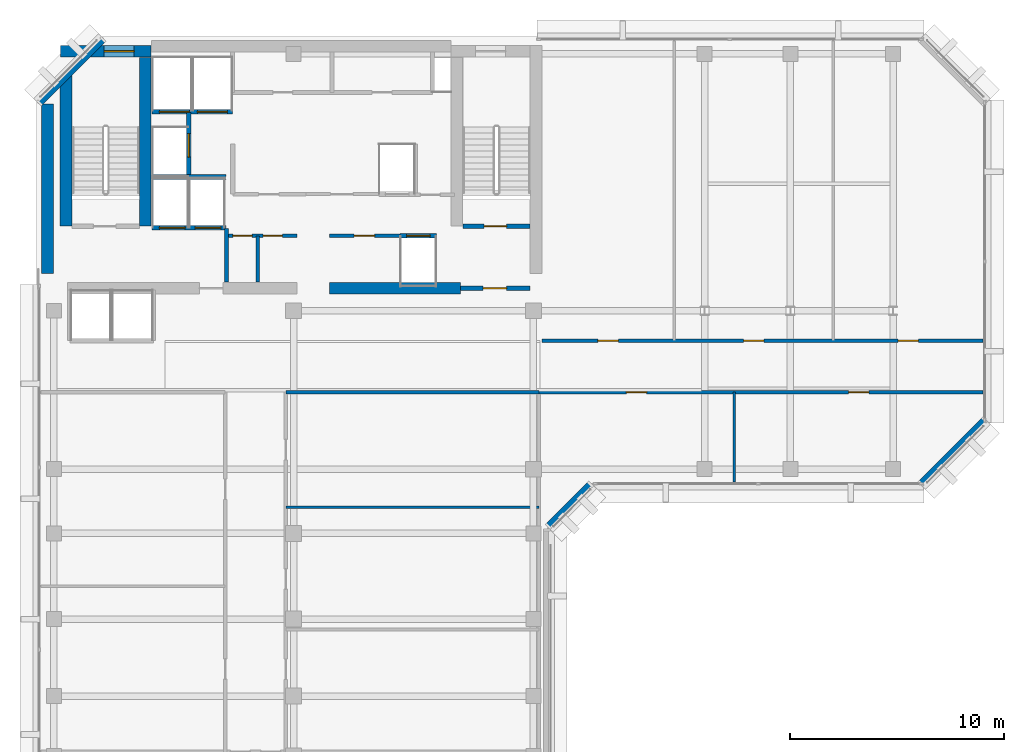
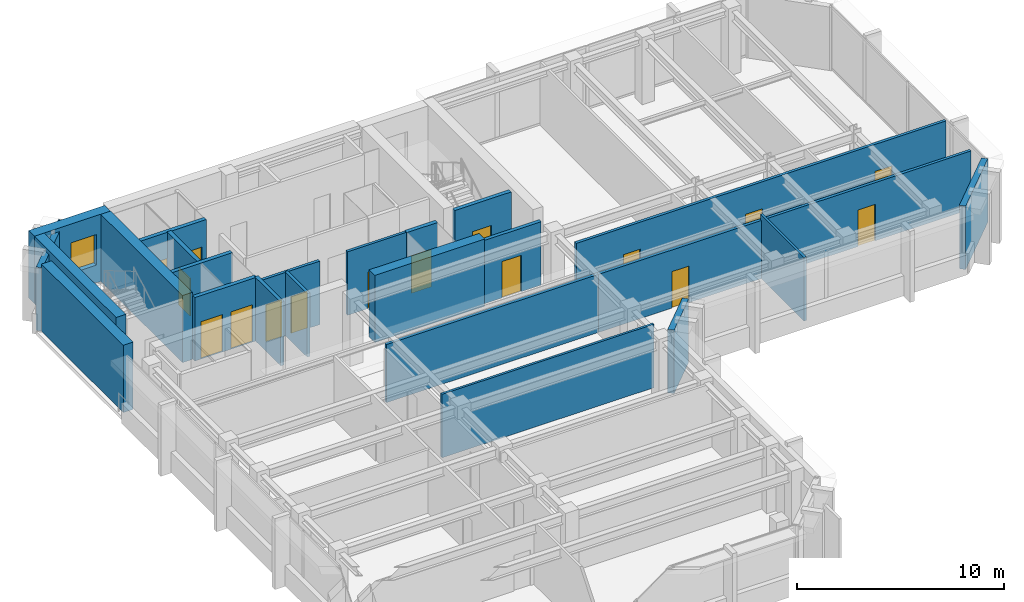
# One storey, part 7 of 11: 24 walls, 16 doors, 1 window, 17 openings.
"""IFC4 building model written with IfcOpenShell, lengths in metres."""

from ifc_helpers import new_model, si_unit, direction, frame, frame_2d, origin, place, context, subcontext, project, spatial, rectangle, extrude, material, layer, layer_set, type_object, element, fill, save


model = new_model("IFC4")

# Units and contexts
model_context = context("Model", 3, precision=1e-05, world=origin(), true_north=direction((0.0, 1.0)))
body_context = subcontext(model_context, "Body", "Model", "MODEL_VIEW")
ifc_project = project(units=[si_unit("LENGTHUNIT", "METRE"), si_unit("AREAUNIT", "SQUARE_METRE"), si_unit("VOLUMEUNIT", "CUBIC_METRE"), si_unit("PLANEANGLEUNIT", "RADIAN"), si_unit("MASSUNIT", "GRAM", prefix="KILO")], contexts=[model_context])

# Site, building, storey
site_placement = place(None, origin())
site = spatial("IfcSite", under=ifc_project, at=site_placement, CompositionType="ELEMENT")
building_placement = place(site_placement, origin())
building = spatial("IfcBuilding", under=site, at=building_placement, Name="Kefirva Bronze Tower", CompositionType="ELEMENT")
storey_placement = place(building_placement, frame((0.0, 0.0, 299.969970703125)))
storey = spatial("IfcBuildingStorey", under=building, at=storey_placement, Name="L73", CompositionType="ELEMENT", Elevation=299.969970703125)

# Walls
ifc_material_1 = material(Name="Gypsum acoustic partition")
ifc_layer_1 = layer(ifc_material_1, 0.1298828125, Name="Gypsum acoustic partition")
ifc_layer_set_1 = layer_set([ifc_layer_1], Name="Gypsum acoustic partition")
wall_type_1 = type_object("IfcWallType", Name="Acoustic Office Partition 130mm", PredefinedType="PARTITIONING", material=ifc_layer_set_1)
wall_1_placement = place(storey_placement, frame((11.639892578125, 24.02392578125, 0.0), z_axis=(0.0, 0.0, 1.0), x_axis=(1.0, 0.0, 0.0)))
element("IfcWall", 1, at=wall_1_placement, inside=storey, type_object=wall_type_1, Name="L73 Partition W-L73-SED2", PredefinedType="PARTITIONING", context=body_context, shape_type="SweptSolid", body=[
    extrude(rectangle(XDim=11.81005859375, YDim=0.1298828125, at=frame_2d((5.905029296875, 0.0))), origin(), (0.0, 0.0, 1.0), 3.739990234375),
])
wall_2_placement = place(storey_placement, frame((32.58447265625, 25.18994140625, 0.0), z_axis=(0.0, 0.0, 1.0), x_axis=(0.0, 1.0, 0.0)))
element("IfcWall", 2, at=wall_2_placement, inside=storey, type_object=wall_type_1, Name="L73 Partition W-L73-ESD1", PredefinedType="PARTITIONING", context=body_context, shape_type="SweptSolid", body=[
    extrude(rectangle(XDim=4.2099609375, YDim=0.1298828125, at=frame_2d((2.10498046875, 0.0))), origin(), (0.0, 0.0, 1.0), 3.739990234375),
])

# Wall, opening, door
ifc_layer_2 = layer(ifc_material_1, 0.14990234375, Name="Gypsum acoustic partition")
ifc_layer_set_2 = layer_set([ifc_layer_2], Name="Gypsum acoustic partition")
wall_type_2 = type_object("IfcWallType", Name="Executive Suite Partition 150mm", PredefinedType="PARTITIONING", material=ifc_layer_set_2)
wall_3_placement = place(storey_placement, frame((13.679931640625, 36.699951171875, 0.0), z_axis=(0.0, 0.0, 1.0), x_axis=(1.0, 0.0, 0.0)))
wall_3 = element("IfcWall", 3, at=wall_3_placement, inside=storey, type_object=wall_type_2, Name="L73 Partition W-L73-RECMP1", PredefinedType="PARTITIONING", context=body_context, shape_type="SweptSolid", body=[
    extrude(rectangle(XDim=3.280029296875, YDim=0.14990234375, at=frame_2d((1.64013671875, 0.0))), origin(), (0.0, 0.0, 1.0), 3.739990234375),
])
opening_1_placement = place(wall_3_placement, frame((1.14990234375, 0.0, 0.0)))
opening_1 = element("IfcOpeningElement", 4, at=opening_1_placement, cuts=wall_3, Name="Opening L73-D-RECMP1", PredefinedType="OPENING", context=body_context, shape_type="SweptSolid", body=[
    extrude(rectangle(XDim=0.949951171875, YDim=2.14990234375, at=frame_2d((0.47509765625, 1.074951171875))), frame((0.0, 0.0849609375, 0.0), z_axis=(0.0, -1.0, 0.0), x_axis=(1.0, 0.0, 0.0)), (0.0, 0.0, 1.0), 0.169921875),
])
ifc_material_2 = material(Name="Acoustic hardwood oak", Category="wood")
door_type_1 = type_object("IfcDoorType", Name="Office & Meeting Room Door 950x2150", OperationType="NOTDEFINED", PredefinedType="DOOR", material=ifc_material_2)
door_1_placement = place(opening_1_placement, origin())
door_1 = element("IfcDoor", 5, at=door_1_placement, inside=storey, type_object=door_type_1, Name="Door L73-D-RECMP1", OperationType="SINGLE_SWING_LEFT", OverallHeight=2.14990234375, OverallWidth=0.949951171875, PredefinedType="DOOR", context=body_context, shape_type="SweptSolid", body=[
    extrude(rectangle(XDim=0.949951171875, YDim=2.14990234375, at=frame_2d((0.47509765625, 1.074951171875))), frame((0.0, 0.02490234375, 0.0), z_axis=(0.0, -1.0, 0.0), x_axis=(1.0, 0.0, 0.0)), (0.0, 0.0, 1.0), 0.050048828125),
])
fill(opening_1, door_1)

ifc_material_3 = material(Name="Gypsum fireboard shaftwall")
ifc_layer_3 = layer(ifc_material_3, 0.219970703125, Name="Gypsum fireboard shaftwall")
ifc_layer_set_3 = layer_set([ifc_layer_3], Name="Gypsum fireboard shaftwall")
wall_type_3 = type_object("IfcWallType", Name="Fire-Rated Shaft Enclosure Wall 220mm", PredefinedType="PARTITIONING", material=ifc_layer_set_3)
wall_4_placement = place(storey_placement, frame((19.89990234375, 37.14990234375, 0.0), z_axis=(0.0, 0.0, 1.0), x_axis=(1.0, 0.0, 0.0)))
wall_4 = element("IfcWall", 6, at=wall_4_placement, inside=storey, type_object=wall_type_3, Name="L73 Partition W-L73-ST2S", PredefinedType="PARTITIONING", context=body_context, shape_type="SweptSolid", body=[
    extrude(rectangle(XDim=3.150146484375, YDim=0.219970703125, at=frame_2d((1.5751953125, 0.0))), origin(), (0.0, 0.0, 1.0), 3.739990234375),
])
opening_2_placement = place(wall_4_placement, frame((2.050048828125, 0.0, 0.0), z_axis=(0.0, 0.0, 1.0), x_axis=(-1.0, 0.0, 0.0)))
opening_2 = element("IfcOpeningElement", 7, at=opening_2_placement, cuts=wall_4, Name="Opening L73-D003", PredefinedType="OPENING", context=body_context, shape_type="SweptSolid", body=[
    extrude(rectangle(XDim=1.050048828125, YDim=2.14990234375, at=frame_2d((0.52490234375, 1.074951171875))), frame((0.0, 0.1201171875, 0.0), z_axis=(0.0, -1.0, 0.0), x_axis=(1.0, 0.0, 0.0)), (0.0, 0.0, 1.0), 0.239990234375),
])
ifc_material_4 = material(Name="Painted galvanized steel", Category="steel")
door_type_2 = type_object("IfcDoorType", Name="Fire Stair Enclosure Door 1050x2150 FD90S", OperationType="NOTDEFINED", PredefinedType="DOOR", material=ifc_material_4)
door_2_placement = place(opening_2_placement, origin())
door_2 = element("IfcDoor", 8, at=door_2_placement, inside=storey, type_object=door_type_2, Name="Door L73-D003", OperationType="SINGLE_SWING_LEFT", OverallHeight=2.14990234375, OverallWidth=1.050048828125, PredefinedType="DOOR", context=body_context, shape_type="SweptSolid", body=[
    extrude(rectangle(XDim=1.050048828125, YDim=2.14990234375, at=frame_2d((0.52490234375, 1.074951171875))), frame((0.0, 0.02490234375, 0.0), z_axis=(0.0, -1.0, 0.0), x_axis=(1.0, 0.0, 0.0)), (0.0, 0.0, 1.0), 0.050048828125),
])
fill(opening_2, door_2)

# Wall, openings, doors
wall_5_placement = place(storey_placement, frame((5.3798828125, 37.080078125, 0.0), z_axis=(0.0, 0.0, 1.0), x_axis=(1.0, 0.0, 0.0)))
wall_5 = element("IfcWall", 9, at=wall_5_placement, inside=storey, type_object=wall_type_3, Name="L73 Partition W-L73-FFS", PredefinedType="PARTITIONING", context=body_context, shape_type="SweptSolid", body=[
    extrude(rectangle(XDim=3.460205078125, YDim=0.219970703125, at=frame_2d((1.72998046875, 0.0))), origin(), (0.0, 0.0, 1.0), 3.739990234375),
])
opening_3_placement = place(wall_5_placement, frame((1.550048828125, 0.0, 0.0), z_axis=(0.0, 0.0, 1.0), x_axis=(-1.0, 0.0, 0.0)))
opening_3 = element("IfcOpeningElement", 10, at=opening_3_placement, cuts=wall_5, Name="Opening L73-LD-FF1", PredefinedType="OPENING", context=body_context, shape_type="SweptSolid", body=[
    extrude(rectangle(XDim=1.199951171875, YDim=2.199951171875, at=frame_2d((0.60009765625, 1.10009765625))), frame((0.0, 0.1201171875, 0.0), z_axis=(0.0, -1.0, 0.0), x_axis=(1.0, 0.0, 0.0)), (0.0, 0.0, 1.0), 0.239990234375),
])
opening_4_placement = place(wall_5_placement, frame((3.219970703125, 0.0, 0.0), z_axis=(0.0, 0.0, 1.0), x_axis=(-1.0, 0.0, 0.0)))
opening_4 = element("IfcOpeningElement", 11, at=opening_4_placement, cuts=wall_5, Name="Opening L73-LD-FF2", PredefinedType="OPENING", context=body_context, shape_type="SweptSolid", body=[
    extrude(rectangle(XDim=1.199951171875, YDim=2.199951171875, at=frame_2d((0.60009765625, 1.10009765625))), frame((0.0, 0.1201171875, 0.0), z_axis=(0.0, -1.0, 0.0), x_axis=(1.0, 0.0, 0.0)), (0.0, 0.0, 1.0), 0.239990234375),
])
ifc_material_5 = material(Name="Stainless steel 316", Category="steel")
door_type_3 = type_object("IfcDoorType", Name="Firefighting Lift Sliding Door 1200x2200", OperationType="SLIDING_TO_RIGHT", PredefinedType="DOOR", material=ifc_material_5)
door_3_placement = place(opening_3_placement, origin())
door_3 = element("IfcDoor", 12, at=door_3_placement, inside=storey, type_object=door_type_3, Name="Door L73-LD-FF1", OperationType="SLIDING_TO_RIGHT", OverallHeight=2.199951171875, OverallWidth=1.199951171875, PredefinedType="DOOR", context=body_context, shape_type="SweptSolid", body=[
    extrude(rectangle(XDim=1.199951171875, YDim=2.199951171875, at=frame_2d((0.60009765625, 1.10009765625))), frame((0.0, 0.02490234375, 0.0), z_axis=(0.0, -1.0, 0.0), x_axis=(1.0, 0.0, 0.0)), (0.0, 0.0, 1.0), 0.050048828125),
])
fill(opening_3, door_3)
door_4_placement = place(opening_4_placement, origin())
door_4 = element("IfcDoor", 13, at=door_4_placement, inside=storey, type_object=door_type_3, Name="Door L73-LD-FF2", OperationType="SLIDING_TO_RIGHT", OverallHeight=2.199951171875, OverallWidth=1.199951171875, PredefinedType="DOOR", context=body_context, shape_type="SweptSolid", body=[
    extrude(rectangle(XDim=1.199951171875, YDim=2.199951171875, at=frame_2d((0.60009765625, 1.10009765625))), frame((0.0, 0.02490234375, 0.0), z_axis=(0.0, -1.0, 0.0), x_axis=(1.0, 0.0, 0.0)), (0.0, 0.0, 1.0), 0.050048828125),
])
fill(opening_4, door_4)

# Wall
wall_6_placement = place(storey_placement, frame((5.3798828125, 39.449951171875, 0.0), z_axis=(0.0, 0.0, 1.0), x_axis=(1.0, 0.0, 0.0)))
element("IfcWall", 14, at=wall_6_placement, inside=storey, type_object=wall_type_3, Name="L73 Partition W-L73-FFN", PredefinedType="PARTITIONING", context=body_context, shape_type="SweptSolid", body=[
    extrude(rectangle(XDim=3.460205078125, YDim=0.219970703125, at=frame_2d((1.72998046875, 0.0))), origin(), (0.0, 0.0, 1.0), 3.739990234375),
])

# Wall, openings, doors
wall_7_placement = place(storey_placement, frame((5.3798828125, 42.5, 0.0), z_axis=(0.0, 0.0, 1.0), x_axis=(1.0, 0.0, 0.0)))
wall_7 = element("IfcWall", 15, at=wall_7_placement, inside=storey, type_object=wall_type_3, Name="L73 Partition W-L73-SVS", PredefinedType="PARTITIONING", context=body_context, shape_type="SweptSolid", body=[
    extrude(rectangle(XDim=3.77001953125, YDim=0.219970703125, at=frame_2d((1.885009765625, 0.0))), origin(), (0.0, 0.0, 1.0), 3.739990234375),
])
opening_5_placement = place(wall_7_placement, frame((1.75, 0.0, 0.0), z_axis=(0.0, 0.0, 1.0), x_axis=(-1.0, 0.0, 0.0)))
opening_5 = element("IfcOpeningElement", 16, at=opening_5_placement, cuts=wall_7, Name="Opening L73-LD-SV1", PredefinedType="OPENING", context=body_context, shape_type="SweptSolid", body=[
    extrude(rectangle(XDim=1.39990234375, YDim=2.199951171875, at=frame_2d((0.699951171875, 1.10009765625))), frame((0.0, 0.1201171875, 0.0), z_axis=(0.0, -1.0, 0.0), x_axis=(1.0, 0.0, 0.0)), (0.0, 0.0, 1.0), 0.239990234375),
])
opening_6_placement = place(wall_7_placement, frame((3.52978515625, 0.0, 0.0), z_axis=(0.0, 0.0, 1.0), x_axis=(-1.0, 0.0, 0.0)))
opening_6 = element("IfcOpeningElement", 17, at=opening_6_placement, cuts=wall_7, Name="Opening L73-LD-SV2", PredefinedType="OPENING", context=body_context, shape_type="SweptSolid", body=[
    extrude(rectangle(XDim=1.39990234375, YDim=2.199951171875, at=frame_2d((0.699951171875, 1.10009765625))), frame((0.0, 0.1201171875, 0.0), z_axis=(0.0, -1.0, 0.0), x_axis=(1.0, 0.0, 0.0)), (0.0, 0.0, 1.0), 0.239990234375),
])
door_type_4 = type_object("IfcDoorType", Name="Goods Lift Bi-Parting Sliding Door 1400x2200", OperationType="SLIDING_TO_LEFT", PredefinedType="DOOR", material=ifc_material_5)
door_5_placement = place(opening_5_placement, origin())
door_5 = element("IfcDoor", 18, at=door_5_placement, inside=storey, type_object=door_type_4, Name="Door L73-LD-SV1", OperationType="SLIDING_TO_LEFT", OverallHeight=2.199951171875, OverallWidth=1.39990234375, PredefinedType="DOOR", context=body_context, shape_type="SweptSolid", body=[
    extrude(rectangle(XDim=1.39990234375, YDim=2.199951171875, at=frame_2d((0.699951171875, 1.10009765625))), frame((0.0, 0.02490234375, 0.0), z_axis=(0.0, -1.0, 0.0), x_axis=(1.0, 0.0, 0.0)), (0.0, 0.0, 1.0), 0.050048828125),
])
fill(opening_5, door_5)
door_6_placement = place(opening_6_placement, origin())
door_6 = element("IfcDoor", 19, at=door_6_placement, inside=storey, type_object=door_type_4, Name="Door L73-LD-SV2", OperationType="SLIDING_TO_LEFT", OverallHeight=2.199951171875, OverallWidth=1.39990234375, PredefinedType="DOOR", context=body_context, shape_type="SweptSolid", body=[
    extrude(rectangle(XDim=1.39990234375, YDim=2.199951171875, at=frame_2d((0.699951171875, 1.10009765625))), frame((0.0, 0.02490234375, 0.0), z_axis=(0.0, -1.0, 0.0), x_axis=(1.0, 0.0, 0.0)), (0.0, 0.0, 1.0), 0.050048828125),
])
fill(opening_6, door_6)

# Wall, opening, door
wall_8_placement = place(storey_placement, frame((7.10009765625, 39.52001953125, 0.0), z_axis=(0.0, 0.0, 1.0), x_axis=(0.0, 1.0, 0.0)))
wall_8 = element("IfcWall", 20, at=wall_8_placement, inside=storey, type_object=wall_type_3, Name="L73 Partition W-L73-HP3E", PredefinedType="PARTITIONING", context=body_context, shape_type="SweptSolid", body=[
    extrude(rectangle(XDim=2.929931640625, YDim=0.219970703125, at=frame_2d((1.46484375, 0.0))), origin(), (0.0, 0.0, 1.0), 3.739990234375),
])
opening_7_placement = place(wall_8_placement, frame((0.85009765625, 0.0, 0.0)))
opening_7 = element("IfcOpeningElement", 21, at=opening_7_placement, cuts=wall_8, Name="Opening L73-LD-HP3", PredefinedType="OPENING", context=body_context, shape_type="SweptSolid", body=[
    extrude(rectangle(XDim=1.10009765625, YDim=2.199951171875, at=frame_2d((0.550048828125, 1.10009765625))), frame((0.0, 0.1201171875, 0.0), z_axis=(0.0, -1.0, 0.0), x_axis=(1.0, 0.0, 0.0)), (0.0, 0.0, 1.0), 0.239990234375),
])
door_type_5 = type_object("IfcDoorType", Name="Passenger Lift Sliding Landing Door 1100x2200", OperationType="SLIDING_TO_LEFT", PredefinedType="DOOR", material=ifc_material_5)
door_7_placement = place(opening_7_placement, origin())
door_7 = element("IfcDoor", 22, at=door_7_placement, inside=storey, type_object=door_type_5, Name="Door L73-LD-HP3", OperationType="SLIDING_TO_LEFT", OverallHeight=2.199951171875, OverallWidth=1.10009765625, PredefinedType="DOOR", context=body_context, shape_type="SweptSolid", body=[
    extrude(rectangle(XDim=1.10009765625, YDim=2.199951171875, at=frame_2d((0.550048828125, 1.10009765625))), frame((0.0, 0.02490234375, 0.0), z_axis=(0.0, -1.0, 0.0), x_axis=(1.0, 0.0, 0.0)), (0.0, 0.0, 1.0), 0.050048828125),
])
fill(opening_7, door_7)

wall_9_placement = place(storey_placement, frame((16.97998046875, 36.699951171875, 0.0), z_axis=(0.0, 0.0, 1.0), x_axis=(1.0, 0.0, 0.0)))
wall_9 = element("IfcWall", 23, at=wall_9_placement, inside=storey, type_object=wall_type_3, Name="L73 Partition W-L73-HPS", PredefinedType="PARTITIONING", context=body_context, shape_type="SweptSolid", body=[
    extrude(rectangle(XDim=1.699951171875, YDim=0.219970703125, at=frame_2d((0.85009765625, 0.0))), origin(), (0.0, 0.0, 1.0), 3.739990234375),
])
opening_8_placement = place(wall_9_placement, frame((0.300048828125, 0.0, 0.0)))
opening_8 = element("IfcOpeningElement", 24, at=opening_8_placement, cuts=wall_9, Name="Opening L73-LD-HP1", PredefinedType="OPENING", context=body_context, shape_type="SweptSolid", body=[
    extrude(rectangle(XDim=1.10009765625, YDim=2.199951171875, at=frame_2d((0.550048828125, 1.10009765625))), frame((0.0, 0.1201171875, 0.0), z_axis=(0.0, -1.0, 0.0), x_axis=(1.0, 0.0, 0.0)), (0.0, 0.0, 1.0), 0.239990234375),
])
door_8_placement = place(opening_8_placement, origin())
door_8 = element("IfcDoor", 25, at=door_8_placement, inside=storey, type_object=door_type_5, Name="Door L73-LD-HP1", OperationType="SLIDING_TO_LEFT", OverallHeight=2.199951171875, OverallWidth=1.10009765625, PredefinedType="DOOR", context=body_context, shape_type="SweptSolid", body=[
    extrude(rectangle(XDim=1.10009765625, YDim=2.199951171875, at=frame_2d((0.550048828125, 1.10009765625))), frame((0.0, 0.02490234375, 0.0), z_axis=(0.0, -1.0, 0.0), x_axis=(1.0, 0.0, 0.0)), (0.0, 0.0, 1.0), 0.050048828125),
])
fill(opening_8, door_8)

# Wall
ifc_material_6 = material(Name="Gypsum fireboard barrier")
ifc_layer_4 = layer(ifc_material_6, 0.199951171875, Name="Gypsum fireboard barrier")
ifc_layer_set_4 = layer_set([ifc_layer_4], Name="Gypsum fireboard barrier")
wall_type_4 = type_object("IfcWallType", Name="Firefighting Lobby Barrier Wall 200mm", PredefinedType="PARTITIONING", material=ifc_layer_set_4)
wall_10_placement = place(storey_placement, frame((8.860107421875, 34.550048828125, 0.0), z_axis=(0.0, 0.0, 1.0), x_axis=(0.0, 1.0, 0.0)))
element("IfcWall", 26, at=wall_10_placement, inside=storey, type_object=wall_type_4, Name="L73 Partition W-L73-FFLE", PredefinedType="PARTITIONING", context=body_context, shape_type="SweptSolid", body=[
    extrude(rectangle(XDim=2.5, YDim=0.199951171875, at=frame_2d((1.25, 0.0))), origin(), (0.0, 0.0, 1.0), 3.739990234375),
])

# Wall, opening, door
wall_11_placement = place(storey_placement, frame((19.800048828125, 34.25, 0.0), z_axis=(0.0, 0.0, 1.0), x_axis=(1.0, 0.0, 0.0)))
wall_11 = element("IfcWall", 27, at=wall_11_placement, inside=storey, type_object=wall_type_4, Name="L73 Partition W-L73-ST2F", PredefinedType="PARTITIONING", context=body_context, shape_type="SweptSolid", body=[
    extrude(rectangle(XDim=3.25, YDim=0.199951171875, at=frame_2d((1.625, 0.0))), origin(), (0.0, 0.0, 1.0), 3.739990234375),
])
opening_9_placement = place(wall_11_placement, frame((2.150146484375, 0.0, 0.0), z_axis=(0.0, 0.0, 1.0), x_axis=(-1.0, 0.0, 0.0)))
opening_9 = element("IfcOpeningElement", 28, at=opening_9_placement, cuts=wall_11, Name="Opening L73-D004", PredefinedType="OPENING", context=body_context, shape_type="SweptSolid", body=[
    extrude(rectangle(XDim=1.10009765625, YDim=2.14990234375, at=frame_2d((0.550048828125, 1.074951171875))), frame((0.0, 0.10986328125, 0.0), z_axis=(0.0, -1.0, 0.0), x_axis=(1.0, 0.0, 0.0)), (0.0, 0.0, 1.0), 0.219970703125),
])
door_type_6 = type_object("IfcDoorType", Name="Firefighting Lobby Smoke Door 1100x2150 FD60S", OperationType="NOTDEFINED", PredefinedType="DOOR", material=ifc_material_4)
door_9_placement = place(opening_9_placement, origin())
door_9 = element("IfcDoor", 29, at=door_9_placement, inside=storey, type_object=door_type_6, Name="Door L73-D004", OperationType="SINGLE_SWING_RIGHT", OverallHeight=2.14990234375, OverallWidth=1.10009765625, PredefinedType="DOOR", context=body_context, shape_type="SweptSolid", body=[
    extrude(rectangle(XDim=1.10009765625, YDim=2.14990234375, at=frame_2d((0.550048828125, 1.074951171875))), frame((0.0, 0.02490234375, 0.0), z_axis=(0.0, -1.0, 0.0), x_axis=(1.0, 0.0, 0.0)), (0.0, 0.0, 1.0), 0.050048828125),
])
fill(opening_9, door_9)

# Walls
ifc_material_7 = material(Name="Precast concrete C40/50", Category="concrete")
ifc_layer_5 = layer(ifc_material_7, 0.320068359375, Name="Precast concrete C40/50")
ifc_layer_set_5 = layer_set([ifc_layer_5], Name="Precast concrete C40/50")
wall_type_5 = type_object("IfcWallType", Name="Precast Insulated Exterior Wall 320mm", PredefinedType="SOLIDWALL", material=ifc_layer_set_5)
wall_12_placement = place(storey_placement, frame((23.92578125, 23.152099609375, 0.0), z_axis=(0.0, 0.0, 1.0), x_axis=(0.707106781187, 0.707106781187, 0.0)))
element("IfcWall", 30, at=wall_12_placement, inside=storey, type_object=wall_type_5, Name="L73 Exterior Facade Wall 3", PredefinedType="SOLIDWALL", context=body_context, shape_type="SweptSolid", body=[
    extrude(rectangle(XDim=2.71826171875, YDim=0.320068359375, at=frame_2d((1.359130859375, 0.0))), origin(), (0.0, 0.0, 1.0), 3.739990234375),
])
for number, where, z_axis, x_axis, name in (
    (31, (41.32568359375, 25.152099609375, 0.0), (0.0, 0.0, 1.0), (0.707136318428, 0.707077242712, 0.0), "L73 Exterior Facade Wall 4"),
    (32, (3.07421875, 45.847900390625, 0.0), (0.0, 0.0, 1.0), (-0.707106781187, -0.707106781187, 0.0), "L73 Exterior Facade Wall 6"),
):
    element("IfcWall", number, at=place(storey_placement, frame(where, z_axis=z_axis, x_axis=x_axis)), inside=storey, type_object=wall_type_5, Name=name, PredefinedType="SOLIDWALL", context=body_context, shape_type="SweptSolid", body=[
        extrude(rectangle(XDim=4.132568359375, YDim=0.320068359375, at=frame_2d((2.06640625, 0.0))), origin(), (0.0, 0.0, 1.0), 3.739990234375),
    ])

# Wall, openings, doors
ifc_layer_6 = layer(ifc_material_1, 0.159912109375, Name="Gypsum acoustic partition")
ifc_layer_set_6 = layer_set([ifc_layer_6], Name="Gypsum acoustic partition")
wall_type_6 = type_object("IfcWallType", Name="Protected Corridor Partition 160mm", PredefinedType="PARTITIONING", material=ifc_layer_set_6)
wall_13_placement = place(storey_placement, frame((8.89990234375, 36.699951171875, 0.0), z_axis=(0.0, 0.0, 1.0), x_axis=(1.0, 0.0, 0.0)))
wall_13 = element("IfcWall", 33, at=wall_13_placement, inside=storey, type_object=wall_type_6, Name="L73 Partition W-L73-RECLP1", PredefinedType="PARTITIONING", context=body_context, shape_type="SweptSolid", body=[
    extrude(rectangle(XDim=3.25, YDim=0.159912109375, at=frame_2d((1.625, 0.0))), origin(), (0.0, 0.0, 1.0), 3.739990234375),
])
opening_10_placement = place(wall_13_placement, frame((0.260009765625, 0.0, 0.0)))
opening_10 = element("IfcOpeningElement", 34, at=opening_10_placement, cuts=wall_13, Name="Opening L73-D-RECLP1A", PredefinedType="OPENING", context=body_context, shape_type="SweptSolid", body=[
    extrude(rectangle(XDim=0.89990234375, YDim=2.14990234375, at=frame_2d((0.449951171875, 1.074951171875))), frame((0.0, 0.08984375, 0.0), z_axis=(0.0, -1.0, 0.0), x_axis=(1.0, 0.0, 0.0)), (0.0, 0.0, 1.0), 0.179931640625),
])
opening_11_placement = place(wall_13_placement, frame((1.679931640625, 0.0, 0.0)))
opening_11 = element("IfcOpeningElement", 35, at=opening_11_placement, cuts=wall_13, Name="Opening L73-D-RECLP1B", PredefinedType="OPENING", context=body_context, shape_type="SweptSolid", body=[
    extrude(rectangle(XDim=0.89990234375, YDim=2.14990234375, at=frame_2d((0.449951171875, 1.074951171875))), frame((0.0, 0.08984375, 0.0), z_axis=(0.0, -1.0, 0.0), x_axis=(1.0, 0.0, 0.0)), (0.0, 0.0, 1.0), 0.179931640625),
])
door_type_7 = type_object("IfcDoorType", Name="Core Archive & Server Fire Door 900x2150 FD60S", OperationType="NOTDEFINED", PredefinedType="DOOR", material=ifc_material_4)
door_10_placement = place(opening_10_placement, origin())
door_10 = element("IfcDoor", 36, at=door_10_placement, inside=storey, type_object=door_type_7, Name="Door L73-D-RECLP1A", OperationType="SINGLE_SWING_RIGHT", OverallHeight=2.14990234375, OverallWidth=0.89990234375, PredefinedType="DOOR", context=body_context, shape_type="SweptSolid", body=[
    extrude(rectangle(XDim=0.89990234375, YDim=2.14990234375, at=frame_2d((0.449951171875, 1.074951171875))), frame((0.0, 0.02490234375, 0.0), z_axis=(0.0, -1.0, 0.0), x_axis=(1.0, 0.0, 0.0)), (0.0, 0.0, 1.0), 0.050048828125),
])
fill(opening_10, door_10)
door_11_placement = place(opening_11_placement, origin())
door_11 = element("IfcDoor", 37, at=door_11_placement, inside=storey, type_object=door_type_7, Name="Door L73-D-RECLP1B", OperationType="SINGLE_SWING_LEFT", OverallHeight=2.14990234375, OverallWidth=0.89990234375, PredefinedType="DOOR", context=body_context, shape_type="SweptSolid", body=[
    extrude(rectangle(XDim=0.89990234375, YDim=2.14990234375, at=frame_2d((0.449951171875, 1.074951171875))), frame((0.0, 0.02490234375, 0.0), z_axis=(0.0, -1.0, 0.0), x_axis=(1.0, 0.0, 0.0)), (0.0, 0.0, 1.0), 0.050048828125),
])
fill(opening_11, door_11)

# Walls
wall_14_placement = place(storey_placement, frame((10.320068359375, 34.550048828125, 0.0), z_axis=(0.0, 0.0, 1.0), x_axis=(0.0, 1.0, 0.0)))
element("IfcWall", 38, at=wall_14_placement, inside=storey, type_object=wall_type_6, Name="L73 Partition W-L73-RECLP1D", PredefinedType="PARTITIONING", context=body_context, shape_type="SweptSolid", body=[
    extrude(rectangle(XDim=2.14990234375, YDim=0.159912109375, at=frame_2d((1.074951171875, 0.0))), origin(), (0.0, 0.0, 1.0), 3.739990234375),
])
wall_15_placement = place(storey_placement, frame((11.639892578125, 29.39990234375, 0.0), z_axis=(0.0, 0.0, 1.0), x_axis=(1.0, 0.0, 0.0)))
element("IfcWall", 39, at=wall_15_placement, inside=storey, type_object=wall_type_6, Name="L73 Partition W-L73-NET", PredefinedType="PARTITIONING", context=body_context, shape_type="SweptSolid", body=[
    extrude(rectangle(XDim=11.81005859375, YDim=0.159912109375, at=frame_2d((5.905029296875, 0.0))), origin(), (0.0, 0.0, 1.0), 3.425048828125),
])

# Wall, openings, doors
wall_16_placement = place(storey_placement, frame((23.449951171875, 29.39990234375, 0.0), z_axis=(0.0, 0.0, 1.0), x_axis=(1.0, 0.0, 0.0)))
wall_16 = element("IfcWall", 40, at=wall_16_placement, inside=storey, type_object=wall_type_6, Name="L73 Partition W-L73-EWS", PredefinedType="PARTITIONING", context=body_context, shape_type="SweptSolid", body=[
    extrude(rectangle(XDim=20.760009765625, YDim=0.159912109375, at=frame_2d((10.3798828125, 0.0))), origin(), (0.0, 0.0, 1.0), 3.425048828125),
])
opening_12_placement = place(wall_16_placement, frame((5.042236328125, 0.0, 0.0), z_axis=(0.0, 0.0, 1.0), x_axis=(-1.0, 0.0, 0.0)))
opening_12 = element("IfcOpeningElement", 41, at=opening_12_placement, cuts=wall_16, Name="Opening L73-D-ES1", PredefinedType="OPENING", context=body_context, shape_type="SweptSolid", body=[
    extrude(rectangle(XDim=0.949951171875, YDim=2.14990234375, at=frame_2d((0.47509765625, 1.074951171875))), frame((0.0, 0.08984375, 0.0), z_axis=(0.0, -1.0, 0.0), x_axis=(1.0, 0.0, 0.0)), (0.0, 0.0, 1.0), 0.179931640625),
])
opening_13_placement = place(wall_16_placement, frame((15.422119140625, 0.0, 0.0), z_axis=(0.0, 0.0, 1.0), x_axis=(-1.0, 0.0, 0.0)))
opening_13 = element("IfcOpeningElement", 42, at=opening_13_placement, cuts=wall_16, Name="Opening L73-D-ES2", PredefinedType="OPENING", context=body_context, shape_type="SweptSolid", body=[
    extrude(rectangle(XDim=0.949951171875, YDim=2.14990234375, at=frame_2d((0.47509765625, 1.074951171875))), frame((0.0, 0.08984375, 0.0), z_axis=(0.0, -1.0, 0.0), x_axis=(1.0, 0.0, 0.0)), (0.0, 0.0, 1.0), 0.179931640625),
])
door_12_placement = place(opening_12_placement, origin())
door_12 = element("IfcDoor", 43, at=door_12_placement, inside=storey, type_object=door_type_1, Name="Door L73-D-ES1", OperationType="SINGLE_SWING_RIGHT", OverallHeight=2.14990234375, OverallWidth=0.949951171875, PredefinedType="DOOR", context=body_context, shape_type="SweptSolid", body=[
    extrude(rectangle(XDim=0.949951171875, YDim=2.14990234375, at=frame_2d((0.47509765625, 1.074951171875))), frame((0.0, 0.02490234375, 0.0), z_axis=(0.0, -1.0, 0.0), x_axis=(1.0, 0.0, 0.0)), (0.0, 0.0, 1.0), 0.050048828125),
])
fill(opening_12, door_12)
door_13_placement = place(opening_13_placement, origin())
door_13 = element("IfcDoor", 44, at=door_13_placement, inside=storey, type_object=door_type_1, Name="Door L73-D-ES2", OperationType="SINGLE_SWING_LEFT", OverallHeight=2.14990234375, OverallWidth=0.949951171875, PredefinedType="DOOR", context=body_context, shape_type="SweptSolid", body=[
    extrude(rectangle(XDim=0.949951171875, YDim=2.14990234375, at=frame_2d((0.47509765625, 1.074951171875))), frame((0.0, 0.02490234375, 0.0), z_axis=(0.0, -1.0, 0.0), x_axis=(1.0, 0.0, 0.0)), (0.0, 0.0, 1.0), 0.050048828125),
])
fill(opening_13, door_13)

wall_17_placement = place(storey_placement, frame((23.60009765625, 31.800048828125, 0.0), z_axis=(0.0, 0.0, 1.0), x_axis=(1.0, 0.0, 0.0)))
wall_17 = element("IfcWall", 45, at=wall_17_placement, inside=storey, type_object=wall_type_6, Name="L73 Partition W-L73-EWN", PredefinedType="PARTITIONING", context=body_context, shape_type="SweptSolid", body=[
    extrude(rectangle(XDim=20.60986328125, YDim=0.159912109375, at=frame_2d((10.304931640625, 0.0))), origin(), (0.0, 0.0, 1.0), 3.739990234375),
])
opening_14_placement = place(wall_17_placement, frame((2.616455078125, 0.0, 0.0)))
opening_14 = element("IfcOpeningElement", 46, at=opening_14_placement, cuts=wall_17, Name="Opening L73-D-EN1", PredefinedType="OPENING", context=body_context, shape_type="SweptSolid", body=[
    extrude(rectangle(XDim=0.949951171875, YDim=2.14990234375, at=frame_2d((0.47509765625, 1.074951171875))), frame((0.0, 0.08984375, 0.0), z_axis=(0.0, -1.0, 0.0), x_axis=(1.0, 0.0, 0.0)), (0.0, 0.0, 1.0), 0.179931640625),
])
opening_15_placement = place(wall_17_placement, frame((9.417724609375, 0.0, 0.0)))
opening_15 = element("IfcOpeningElement", 47, at=opening_15_placement, cuts=wall_17, Name="Opening L73-D-EN2", PredefinedType="OPENING", context=body_context, shape_type="SweptSolid", body=[
    extrude(rectangle(XDim=0.949951171875, YDim=2.14990234375, at=frame_2d((0.47509765625, 1.074951171875))), frame((0.0, 0.08984375, 0.0), z_axis=(0.0, -1.0, 0.0), x_axis=(1.0, 0.0, 0.0)), (0.0, 0.0, 1.0), 0.179931640625),
])
opening_16_placement = place(wall_17_placement, frame((16.63134765625, 0.0, 0.0)))
opening_16 = element("IfcOpeningElement", 48, at=opening_16_placement, cuts=wall_17, Name="Opening L73-D-EN3", PredefinedType="OPENING", context=body_context, shape_type="SweptSolid", body=[
    extrude(rectangle(XDim=0.949951171875, YDim=2.14990234375, at=frame_2d((0.47509765625, 1.074951171875))), frame((0.0, 0.08984375, 0.0), z_axis=(0.0, -1.0, 0.0), x_axis=(1.0, 0.0, 0.0)), (0.0, 0.0, 1.0), 0.179931640625),
])
door_14_placement = place(opening_14_placement, origin())
door_14 = element("IfcDoor", 49, at=door_14_placement, inside=storey, type_object=door_type_1, Name="Door L73-D-EN1", OperationType="SINGLE_SWING_RIGHT", OverallHeight=2.14990234375, OverallWidth=0.949951171875, PredefinedType="DOOR", context=body_context, shape_type="SweptSolid", body=[
    extrude(rectangle(XDim=0.949951171875, YDim=2.14990234375, at=frame_2d((0.47509765625, 1.074951171875))), frame((0.0, 0.02490234375, 0.0), z_axis=(0.0, -1.0, 0.0), x_axis=(1.0, 0.0, 0.0)), (0.0, 0.0, 1.0), 0.050048828125),
])
fill(opening_14, door_14)
door_15_placement = place(opening_15_placement, origin())
door_15 = element("IfcDoor", 50, at=door_15_placement, inside=storey, type_object=door_type_1, Name="Door L73-D-EN2", OperationType="SINGLE_SWING_LEFT", OverallHeight=2.14990234375, OverallWidth=0.949951171875, PredefinedType="DOOR", context=body_context, shape_type="SweptSolid", body=[
    extrude(rectangle(XDim=0.949951171875, YDim=2.14990234375, at=frame_2d((0.47509765625, 1.074951171875))), frame((0.0, 0.02490234375, 0.0), z_axis=(0.0, -1.0, 0.0), x_axis=(1.0, 0.0, 0.0)), (0.0, 0.0, 1.0), 0.050048828125),
])
fill(opening_15, door_15)
door_16_placement = place(opening_16_placement, origin())
door_16 = element("IfcDoor", 51, at=door_16_placement, inside=storey, type_object=door_type_1, Name="Door L73-D-EN3", OperationType="SINGLE_SWING_RIGHT", OverallHeight=2.14990234375, OverallWidth=0.949951171875, PredefinedType="DOOR", context=body_context, shape_type="SweptSolid", body=[
    extrude(rectangle(XDim=0.949951171875, YDim=2.14990234375, at=frame_2d((0.47509765625, 1.074951171875))), frame((0.0, 0.02490234375, 0.0), z_axis=(0.0, -1.0, 0.0), x_axis=(1.0, 0.0, 0.0)), (0.0, 0.0, 1.0), 0.050048828125),
])
fill(opening_16, door_16)

# Wall
ifc_material_8 = material(Name="Concrete C50/60", Category="concrete")
ifc_layer_7 = layer(ifc_material_8, 0.550048828125, Name="Concrete C50/60")
ifc_layer_set_7 = layer_set([ifc_layer_7], Name="Concrete C50/60")
wall_type_7 = type_object("IfcWallType", Name="RC Rear Core Exterior Wall 550mm", PredefinedType="SHEAR", material=ifc_layer_set_7)
wall_18_placement = place(storey_placement, frame((0.5, 34.949951171875, 0.0), z_axis=(0.0, 0.0, 1.0), x_axis=(0.0, 1.0, 0.0)))
element("IfcWall", 52, at=wall_18_placement, inside=storey, type_object=wall_type_7, Name="L73 Rear Core West Shear Wall", PredefinedType="SHEAR", context=body_context, shape_type="SweptSolid", body=[
    extrude(rectangle(XDim=7.900146484375, YDim=0.550048828125, at=frame_2d((3.9501953125, 0.0))), origin(), (0.0, 0.0, 1.0), 3.9599609375),
])

# Wall, opening, window
wall_19_placement = place(storey_placement, frame((1.10009765625, 45.320068359375, 0.0), z_axis=(0.0, 0.0, 1.0), x_axis=(1.0, 0.0, 0.0)))
wall_19 = element("IfcWall", 53, at=wall_19_placement, inside=storey, type_object=wall_type_7, Name="L73 Stair 1 North Shear Wall", PredefinedType="SHEAR", context=body_context, shape_type="SweptSolid", body=[
    extrude(rectangle(XDim=4.239990234375, YDim=0.550048828125, at=frame_2d((2.1201171875, 0.0))), origin(), (0.0, 0.0, 1.0), 3.9599609375),
])
opening_17_placement = place(wall_19_placement, frame((2.050048828125, 0.0, 1.050048828125)))
opening_17 = element("IfcOpeningElement", 54, at=opening_17_placement, cuts=wall_19, Name="Opening WN-03", PredefinedType="OPENING", context=body_context, shape_type="SweptSolid", body=[
    extrude(rectangle(XDim=1.39990234375, YDim=1.800048828125, at=frame_2d((0.699951171875, 0.89990234375))), frame((0.0, 0.28515625, 0.0), z_axis=(0.0, -1.0, 0.0), x_axis=(1.0, 0.0, 0.0)), (0.0, 0.0, 1.0), 0.570068359375),
])
ifc_material_9 = material(Name="Laminated low-E double glazing", Category="glass")
window_type = type_object("IfcWindowType", Name="Rear-Core Stair Daylight Window 1400x1800", PartitioningType="SINGLE_PANEL", PredefinedType="WINDOW", material=ifc_material_9)
window_placement = place(opening_17_placement, origin())
window = element("IfcWindow", 55, at=window_placement, inside=storey, type_object=window_type, Name="L73 Stair 1 Daylight Window", OverallHeight=1.800048828125, OverallWidth=1.39990234375, PartitioningType="SINGLE_PANEL", PredefinedType="WINDOW", context=body_context, shape_type="SweptSolid", body=[
    extrude(rectangle(XDim=1.39990234375, YDim=1.800048828125, at=frame_2d((0.699951171875, 0.89990234375))), frame((0.0, 0.030029296875, 0.0), z_axis=(0.0, -1.0, 0.0), x_axis=(1.0, 0.0, 0.0)), (0.0, 0.0, 1.0), 0.06005859375),
])
fill(opening_17, window)

# Walls
ifc_layer_8 = layer(ifc_material_8, 0.550048828125, Name="Concrete C50/60")
ifc_layer_set_8 = layer_set([ifc_layer_8], Name="Concrete C50/60")
wall_type_8 = type_object("IfcWallType", Name="RC Rear Core Interior Wall 550mm", PredefinedType="SHEAR", material=ifc_layer_set_8)
wall_20_placement = place(storey_placement, frame((13.679931640625, 34.25, 0.0), z_axis=(0.0, 0.0, 1.0), x_axis=(1.0, 0.0, 0.0)))
element("IfcWall", 56, at=wall_20_placement, inside=storey, type_object=wall_type_8, Name="L73 Rear Core South-East Shear Wall", PredefinedType="SHEAR", context=body_context, shape_type="SweptSolid", body=[
    extrude(rectangle(XDim=6.1201171875, YDim=0.550048828125, at=frame_2d((3.06005859375, 0.0))), origin(), (0.0, 0.0, 1.0), 3.9599609375),
])
for number, where, z_axis, x_axis, name in (
    (57, (1.3701171875, 37.14990234375, 0.0), (0.0, 0.0, 1.0), (0.0, 1.0, 0.0), "L73 Stair 1 West Shear Wall"),
    (58, (5.070068359375, 37.14990234375, 0.0), (0.0, 0.0, 1.0), (0.0, 1.0, 0.0), "L73 Stair 1 East Shear Wall"),
):
    element("IfcWall", number, at=place(storey_placement, frame(where, z_axis=z_axis, x_axis=x_axis)), inside=storey, type_object=wall_type_8, Name=name, PredefinedType="SHEAR", context=body_context, shape_type="SweptSolid", body=[
        extrude(rectangle(XDim=7.89013671875, YDim=0.550048828125, at=frame_2d((3.945068359375, 0.0))), origin(), (0.0, 0.0, 1.0), 3.9599609375),
    ])

save(model, "model.ifc")
